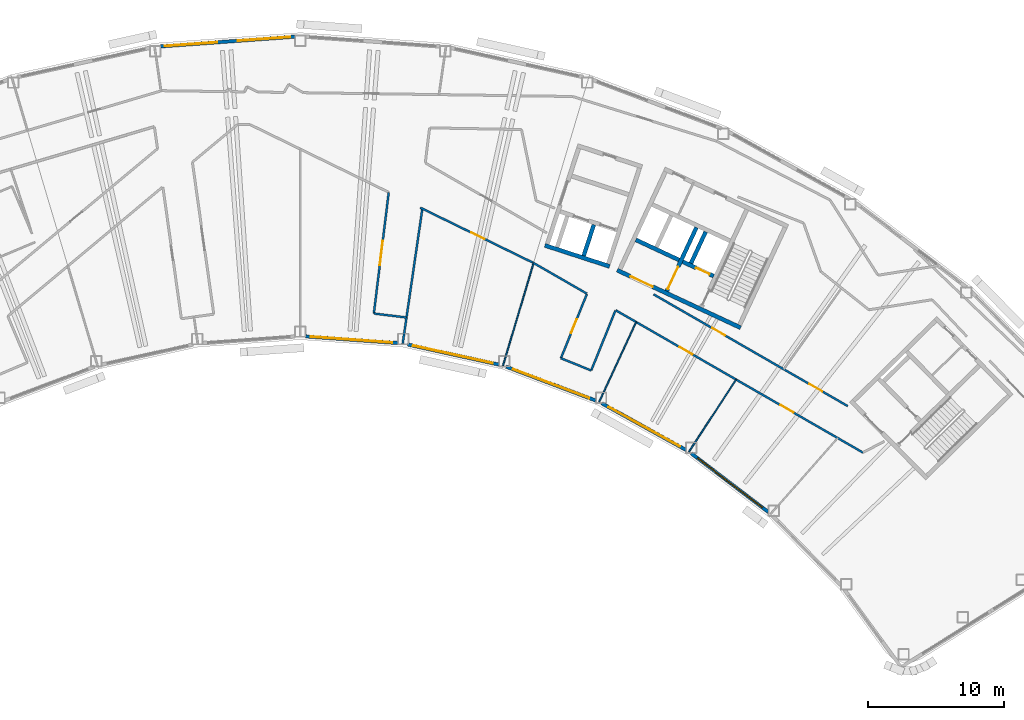
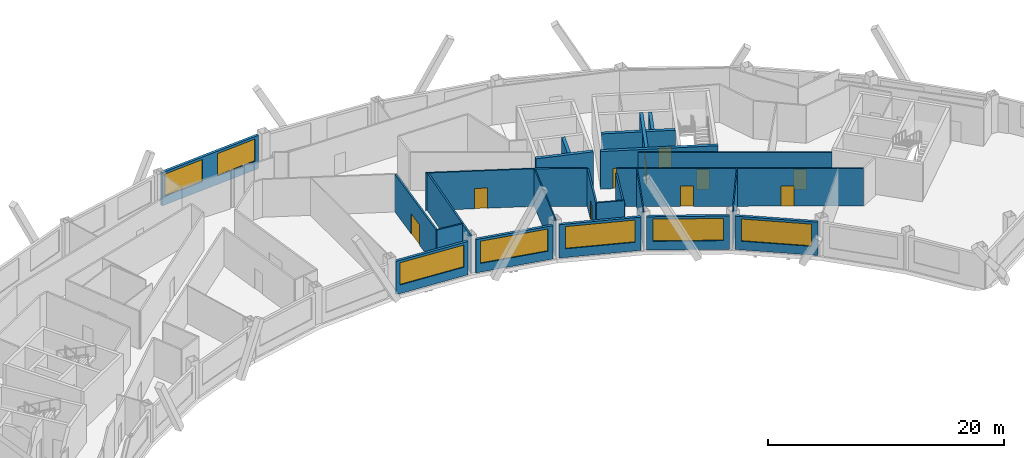
# One storey, part 8 of 13: 26 walls, 10 doors, 7 windows, 17 openings.
"""IFC4 building model written with IfcOpenShell, lengths in metres."""

from ifc_helpers import new_model, si_unit, direction, frame, frame_2d, origin, place, context, subcontext, project, spatial, rectangle, extrude, material, layer, layer_set, type_object, element, fill, save


model = new_model("IFC4")

# Units and contexts
model_context = context("Model", 3, precision=1e-05, world=origin(), true_north=direction((0.0, 1.0)))
body_context = subcontext(model_context, "Body", "Model", "MODEL_VIEW")
ifc_project = project(units=[si_unit("LENGTHUNIT", "METRE"), si_unit("AREAUNIT", "SQUARE_METRE"), si_unit("VOLUMEUNIT", "CUBIC_METRE"), si_unit("PLANEANGLEUNIT", "RADIAN"), si_unit("MASSUNIT", "GRAM", prefix="KILO")], contexts=[model_context])

# Site, building, storey
site_placement = place(None, origin())
site = spatial("IfcSite", under=ifc_project, at=site_placement, CompositionType="ELEMENT")
building_placement = place(site_placement, origin())
building = spatial("IfcBuilding", under=site, at=building_placement, Name="Tuul Gate Civic Tower", CompositionType="ELEMENT")
storey_placement = place(building_placement, frame((0.0, 0.0, 319.699951171875)))
storey = spatial("IfcBuildingStorey", under=building, at=storey_placement, Name="Level 72", CompositionType="ELEMENT", Elevation=319.699951171875)

# Wall, opening, door
ifc_material_1 = material(Name="Concrete C50/60", Category="concrete")
ifc_layer_1 = layer(ifc_material_1, 0.300048828125)
ifc_layer_set_1 = layer_set([ifc_layer_1], Name="Concrete C50/60")
wall_type_1 = type_object("IfcWallType", Name="Core wall C50/60", PredefinedType="SHEAR", material=ifc_layer_set_1)
wall_1_placement = place(storey_placement, frame((34.5283203125, -7.25, 0.0), z_axis=(0.0, 0.0, 1.0), x_axis=(-0.906310338845, 0.422612789327, 0.0)))
wall_1 = element("IfcWall", 1, at=wall_1_placement, inside=storey, type_object=wall_type_1, Name="Core wall", PredefinedType="SHEAR", context=body_context, shape_type="SweptSolid", body=[
    extrude(rectangle(XDim=9.999755859375, YDim=0.300048828125, at=frame_2d((5.0, 0.0))), origin(), (0.0, 0.0, 1.0), 3.900146484375),
])
opening_1_placement = place(wall_1_placement, frame((7.125, 0.0, 0.0)))
opening_1 = element("IfcOpeningElement", 2, at=opening_1_placement, cuts=wall_1, Name="Opening LB-E3-LOBBY-1", PredefinedType="OPENING", context=body_context, shape_type="SweptSolid", body=[
    extrude(rectangle(XDim=1.800048828125, YDim=2.10009765625, at=frame_2d((0.89990234375, 1.050048828125))), frame((0.0, 0.16015625, 0.0), z_axis=(0.0, -1.0, 0.0), x_axis=(1.0, 0.0, 0.0)), (0.0, 0.0, 1.0), 0.320068359375),
])
ifc_material_2 = material(Name="Steel", Category="steel")
door_type_1 = type_object("IfcDoorType", Name="Lobby door", OperationType="DOUBLE_DOOR_SINGLE_SWING", PredefinedType="DOOR", material=ifc_material_2)
door_1_placement = place(opening_1_placement, frame((1.800048828125, 0.0, 0.0), z_axis=(0.0, 0.0, 1.0), x_axis=(-1.0, 0.0, 0.0)))
door_1 = element("IfcDoor", 3, at=door_1_placement, inside=storey, type_object=door_type_1, Name="Lobby door E3-LOBBY", OperationType="DOUBLE_DOOR_SINGLE_SWING", OverallHeight=2.10009765625, OverallWidth=1.800048828125, PredefinedType="DOOR", context=body_context, shape_type="SweptSolid", body=[
    extrude(rectangle(XDim=1.800048828125, YDim=2.10009765625, at=frame_2d((0.900146484375, 1.050048828125))), frame((0.0, 0.02490234375, 0.0), z_axis=(0.0, -1.0, 0.0), x_axis=(1.0, 0.0, 0.0)), (0.0, 0.0, 1.0), 0.050048828125),
])
fill(opening_1, door_1)

wall_2_placement = place(storey_placement, frame((32.545654296875, -3.456787109375, 0.0), z_axis=(0.0, 0.0, 1.0), x_axis=(-0.906300357825, 0.42263419337, 0.0)))
wall_2 = element("IfcWall", 4, at=wall_2_placement, inside=storey, type_object=wall_type_1, Name="Core wall", PredefinedType="SHEAR", context=body_context, shape_type="SweptSolid", body=[
    extrude(rectangle(XDim=2.500244140625, YDim=0.300048828125, at=frame_2d((1.25, 0.0))), origin(), (0.0, 0.0, 1.0), 3.900146484375),
])
opening_2_placement = place(wall_2_placement, frame((0.324951171875, 0.0, 0.0)))
opening_2 = element("IfcOpeningElement", 5, at=opening_2_placement, cuts=wall_2, Name="Opening LD-FF-2", PredefinedType="OPENING", context=body_context, shape_type="SweptSolid", body=[
    extrude(rectangle(XDim=1.10009765625, YDim=2.10009765625, at=frame_2d((0.550048828125, 1.050048828125))), frame((0.0, 0.16015625, 0.0), z_axis=(0.0, -1.0, 0.0), x_axis=(1.0, 0.0, 0.0)), (0.0, 0.0, 1.0), 0.320068359375),
])
ifc_material_3 = material(Name="Stainless steel", Category="steel")
door_type_2 = type_object("IfcDoorType", Name="Landing door", OperationType="DOUBLE_DOOR_SLIDING", PredefinedType="DOOR", material=ifc_material_3)
door_2_placement = place(opening_2_placement, origin())
door_2 = element("IfcDoor", 6, at=door_2_placement, inside=storey, type_object=door_type_2, Name="Fire-fighting lift FF-2 landing door", OperationType="DOUBLE_DOOR_SLIDING", OverallHeight=2.10009765625, OverallWidth=1.10009765625, PredefinedType="DOOR", context=body_context, shape_type="SweptSolid", body=[
    extrude(rectangle(XDim=1.10009765625, YDim=2.10009765625, at=frame_2d((0.550048828125, 1.050048828125))), frame((0.0, 0.02490234375, 0.0), z_axis=(0.0, -1.0, 0.0), x_axis=(1.0, 0.0, 0.0)), (0.0, 0.0, 1.0), 0.050048828125),
])
fill(opening_2, door_2)

# Walls
wall_3_placement = place(storey_placement, frame((30.0078125, -2.2734375, 0.0), z_axis=(0.0, 0.0, 1.0), x_axis=(-0.90630071767, 0.422633421716, 0.0)))
element("IfcWall", 7, at=wall_3_placement, inside=storey, type_object=wall_type_1, Name="Core wall", PredefinedType="SHEAR", context=body_context, shape_type="SweptSolid", body=[
    extrude(rectangle(XDim=3.5, YDim=0.300048828125, at=frame_2d((1.75, 0.0))), origin(), (0.0, 0.0, 1.0), 3.900146484375),
])
wall_4_placement = place(storey_placement, frame((30.886962890625, -2.517822265625, 0.0), z_axis=(0.0, 0.0, 1.0), x_axis=(0.422612891016, 0.906310291427, 0.0)))
element("IfcWall", 8, at=wall_4_placement, inside=storey, type_object=wall_type_1, Name="Core wall", PredefinedType="SHEAR", context=body_context, shape_type="SweptSolid", body=[
    extrude(rectangle(XDim=2.550048828125, YDim=0.300048828125, at=frame_2d((1.27490234375, 0.0))), origin(), (0.0, 0.0, 1.0), 3.900146484375),
])

# Wall, opening, door
wall_5_placement = place(storey_placement, frame((29.108642578125, -4.557373046875, 0.0), z_axis=(0.0, 0.0, 1.0), x_axis=(0.422566235356, 0.90633204552, 0.0)))
wall_5 = element("IfcWall", 9, at=wall_5_placement, inside=storey, type_object=wall_type_1, Name="Core wall", PredefinedType="SHEAR", context=body_context, shape_type="SweptSolid", body=[
    extrude(rectangle(XDim=5.150146484375, YDim=0.300048828125, at=frame_2d((2.5751953125, 0.0))), origin(), (0.0, 0.0, 1.0), 3.900146484375),
])
opening_3_placement = place(wall_5_placement, frame((0.175048828125, 0.0, 0.0)))
opening_3 = element("IfcOpeningElement", 10, at=opening_3_placement, cuts=wall_5, Name="Opening LB-E3-FLOBBY-1", PredefinedType="OPENING", context=body_context, shape_type="SweptSolid", body=[
    extrude(rectangle(XDim=1.800048828125, YDim=2.10009765625, at=frame_2d((0.89990234375, 1.050048828125))), frame((0.0, 0.16015625, 0.0), z_axis=(0.0, -1.0, 0.0), x_axis=(1.0, 0.0, 0.0)), (0.0, 0.0, 1.0), 0.320068359375),
])
door_3_placement = place(opening_3_placement, frame((1.800048828125, 0.0, 0.0), z_axis=(0.0, 0.0, 1.0), x_axis=(-1.0, 0.0, 0.0)))
door_3 = element("IfcDoor", 11, at=door_3_placement, inside=storey, type_object=door_type_1, Name="Lobby door E3-FLOBBY", OperationType="DOUBLE_DOOR_SINGLE_SWING", OverallHeight=2.10009765625, OverallWidth=1.800048828125, PredefinedType="DOOR", context=body_context, shape_type="SweptSolid", body=[
    extrude(rectangle(XDim=1.800048828125, YDim=2.10009765625, at=frame_2d((0.900146484375, 1.050048828125))), frame((0.0, 0.02490234375, 0.0), z_axis=(0.0, -1.0, 0.0), x_axis=(1.0, 0.0, 0.0)), (0.0, 0.0, 1.0), 0.050048828125),
])
fill(opening_3, door_3)

# Wall
ifc_material_4 = material(Name="Gypsum board partition")
ifc_layer_2 = layer(ifc_material_4, 0.14990234375)
ifc_layer_set_2 = layer_set([ifc_layer_2], Name="Gypsum board partition")
wall_type_2 = type_object("IfcWallType", Name="Corridor wall P150", PredefinedType="PARTITIONING", material=ifc_layer_set_2)
wall_6_placement = place(storey_placement, frame((9.716064453125, -8.40380859375, 0.0), z_axis=(0.0, 0.0, 1.0), x_axis=(0.144210122219, 0.989547088647, 0.0)))
element("IfcWall", 12, at=wall_6_placement, inside=storey, type_object=wall_type_2, Name="p018", PredefinedType="PARTITIONING", context=body_context, shape_type="SweptSolid", body=[
    extrude(rectangle(XDim=10.035888671875, YDim=0.14990234375, at=frame_2d((5.01806640625, 0.0))), origin(), (0.0, 0.0, 1.0), 3.900146484375),
])

# Wall, openings, doors
wall_7_placement = place(storey_placement, frame((28.141845703125, -4.799072265625, 0.0), z_axis=(0.0, 0.0, 1.0), x_axis=(0.866677316587, -0.498869150092, 0.0)))
wall_7 = element("IfcWall", 13, at=wall_7_placement, inside=storey, type_object=wall_type_2, Name="p023", PredefinedType="PARTITIONING", context=body_context, shape_type="SweptSolid", body=[
    extrude(rectangle(XDim=16.44287109375, YDim=0.14990234375, at=frame_2d((8.221435546875, 0.0))), origin(), (0.0, 0.0, 1.0), 3.900146484375),
])
opening_4_placement = place(wall_7_placement, frame((13.1826171875, 0.0, 0.0)))
opening_4 = element("IfcOpeningElement", 14, at=opening_4_placement, cuts=wall_7, Name="Opening AA-D20", PredefinedType="OPENING", context=body_context, shape_type="SweptSolid", body=[
    extrude(rectangle(XDim=1.10009765625, YDim=2.10009765625, at=frame_2d((0.550048828125, 1.050048828125))), frame((0.0, 0.0849609375, 0.0), z_axis=(0.0, -1.0, 0.0), x_axis=(1.0, 0.0, 0.0)), (0.0, 0.0, 1.0), 0.169921875),
])
opening_5_placement = place(wall_7_placement, frame((4.961181640625, 0.0, 0.0)))
opening_5 = element("IfcOpeningElement", 15, at=opening_5_placement, cuts=wall_7, Name="Opening AA-D21", PredefinedType="OPENING", context=body_context, shape_type="SweptSolid", body=[
    extrude(rectangle(XDim=1.10009765625, YDim=2.10009765625, at=frame_2d((0.550048828125, 1.050048828125))), frame((0.0, 0.0849609375, 0.0), z_axis=(0.0, -1.0, 0.0), x_axis=(1.0, 0.0, 0.0)), (0.0, 0.0, 1.0), 0.169921875),
])
ifc_material_5 = material(Name="Timber door leaf", Category="wood")
door_type_3 = type_object("IfcDoorType", Name="Door D11", OperationType="NOTDEFINED", PredefinedType="DOOR", material=ifc_material_5)
door_4_placement = place(opening_4_placement, origin())
door_4 = element("IfcDoor", 16, at=door_4_placement, inside=storey, type_object=door_type_3, Name="Door AA-D20", OperationType="SINGLE_SWING_RIGHT", OverallHeight=2.10009765625, OverallWidth=1.10009765625, PredefinedType="DOOR", context=body_context, shape_type="SweptSolid", body=[
    extrude(rectangle(XDim=1.10009765625, YDim=2.10009765625, at=frame_2d((0.550048828125, 1.050048828125))), frame((0.0, 0.02490234375, 0.0), z_axis=(0.0, -1.0, 0.0), x_axis=(1.0, 0.0, 0.0)), (0.0, 0.0, 1.0), 0.050048828125),
])
fill(opening_4, door_4)
door_5_placement = place(opening_5_placement, frame((1.10009765625, 0.0, 0.0), z_axis=(0.0, 0.0, 1.0), x_axis=(-1.0, 0.0, 0.0)))
door_5 = element("IfcDoor", 17, at=door_5_placement, inside=storey, type_object=door_type_3, Name="Door AA-D21", OperationType="SINGLE_SWING_LEFT", OverallHeight=2.10009765625, OverallWidth=1.10009765625, PredefinedType="DOOR", context=body_context, shape_type="SweptSolid", body=[
    extrude(rectangle(XDim=1.10009765625, YDim=2.10009765625, at=frame_2d((0.550048828125, 1.050048828125))), frame((0.0, 0.02490234375, 0.0), z_axis=(0.0, -1.0, 0.0), x_axis=(1.0, 0.0, 0.0)), (0.0, 0.0, 1.0), 0.050048828125),
])
fill(opening_5, door_5)

# Wall
wall_8_placement = place(storey_placement, frame((19.31689453125, -2.488525390625, 0.0), z_axis=(0.0, 0.0, 1.0), x_axis=(0.866682635441, -0.49885990962, 0.0)))
element("IfcWall", 18, at=wall_8_placement, inside=storey, type_object=wall_type_2, Name="p058", PredefinedType="PARTITIONING", context=body_context, shape_type="SweptSolid", body=[
    extrude(rectangle(XDim=4.51806640625, YDim=0.14990234375, at=frame_2d((2.259033203125, 0.0))), origin(), (0.0, 0.0, 1.0), 3.900146484375),
])

# Wall, openings, doors
wall_9_placement = place(storey_placement, frame((25.36865234375, -5.971923828125, 0.0), z_axis=(0.0, 0.0, 1.0), x_axis=(0.866671355213, -0.498879506548, 0.0)))
wall_9 = element("IfcWall", 19, at=wall_9_placement, inside=storey, type_object=wall_type_2, Name="p059", PredefinedType="PARTITIONING", context=body_context, shape_type="SweptSolid", body=[
    extrude(rectangle(XDim=20.93359375, YDim=0.14990234375, at=frame_2d((10.466796875, 0.0))), origin(), (0.0, 0.0, 1.0), 3.900146484375),
])
opening_6_placement = place(wall_9_placement, frame((13.94189453125, 0.0, 0.0)))
opening_6 = element("IfcOpeningElement", 20, at=opening_6_placement, cuts=wall_9, Name="Opening AA-D10", PredefinedType="OPENING", context=body_context, shape_type="SweptSolid", body=[
    extrude(rectangle(XDim=1.10009765625, YDim=2.10009765625, at=frame_2d((0.550048828125, 1.050048828125))), frame((0.0, 0.0849609375, 0.0), z_axis=(0.0, -1.0, 0.0), x_axis=(1.0, 0.0, 0.0)), (0.0, 0.0, 1.0), 0.169921875),
])
opening_7_placement = place(wall_9_placement, frame((5.402587890625, 0.0, 0.0)))
opening_7 = element("IfcOpeningElement", 21, at=opening_7_placement, cuts=wall_9, Name="Opening AA-D11", PredefinedType="OPENING", context=body_context, shape_type="SweptSolid", body=[
    extrude(rectangle(XDim=1.10009765625, YDim=2.10009765625, at=frame_2d((0.550048828125, 1.050048828125))), frame((0.0, 0.0849609375, 0.0), z_axis=(0.0, -1.0, 0.0), x_axis=(1.0, 0.0, 0.0)), (0.0, 0.0, 1.0), 0.169921875),
])
door_6_placement = place(opening_6_placement, frame((1.10009765625, 0.0, 0.0), z_axis=(0.0, 0.0, 1.0), x_axis=(-1.0, 0.0, 0.0)))
door_6 = element("IfcDoor", 22, at=door_6_placement, inside=storey, type_object=door_type_3, Name="Door AA-D10", OperationType="SINGLE_SWING_LEFT", OverallHeight=2.10009765625, OverallWidth=1.10009765625, PredefinedType="DOOR", context=body_context, shape_type="SweptSolid", body=[
    extrude(rectangle(XDim=1.10009765625, YDim=2.10009765625, at=frame_2d((0.550048828125, 1.050048828125))), frame((0.0, 0.02490234375, 0.0), z_axis=(0.0, -1.0, 0.0), x_axis=(1.0, 0.0, 0.0)), (0.0, 0.0, 1.0), 0.050048828125),
])
fill(opening_6, door_6)
door_7_placement = place(opening_7_placement, frame((1.10009765625, 0.0, 0.0), z_axis=(0.0, 0.0, 1.0), x_axis=(-1.0, 0.0, 0.0)))
door_7 = element("IfcDoor", 23, at=door_7_placement, inside=storey, type_object=door_type_3, Name="Door AA-D11", OperationType="SINGLE_SWING_LEFT", OverallHeight=2.10009765625, OverallWidth=1.10009765625, PredefinedType="DOOR", context=body_context, shape_type="SweptSolid", body=[
    extrude(rectangle(XDim=1.10009765625, YDim=2.10009765625, at=frame_2d((0.550048828125, 1.050048828125))), frame((0.0, 0.02490234375, 0.0), z_axis=(0.0, -1.0, 0.0), x_axis=(1.0, 0.0, 0.0)), (0.0, 0.0, 1.0), 0.050048828125),
])
fill(opening_7, door_7)

# Wall, opening, door
wall_10_placement = place(storey_placement, frame((21.334228515625, -9.488525390625, 0.0), z_axis=(0.0, 0.0, 1.0), x_axis=(0.374612897555, 0.927181307504, 0.0)))
wall_10 = element("IfcWall", 24, at=wall_10_placement, inside=storey, type_object=wall_type_2, Name="p066", PredefinedType="PARTITIONING", context=body_context, shape_type="SweptSolid", body=[
    extrude(rectangle(XDim=5.09130859375, YDim=0.14990234375, at=frame_2d((2.545654296875, 0.0))), origin(), (0.0, 0.0, 1.0), 3.900146484375),
])
opening_8_placement = place(wall_10_placement, frame((1.99560546875, 0.0, 0.0)))
opening_8 = element("IfcOpeningElement", 25, at=opening_8_placement, cuts=wall_10, Name="Opening AA-D12", PredefinedType="OPENING", context=body_context, shape_type="SweptSolid", body=[
    extrude(rectangle(XDim=1.10009765625, YDim=2.10009765625, at=frame_2d((0.550048828125, 1.050048828125))), frame((0.0, 0.0849609375, 0.0), z_axis=(0.0, -1.0, 0.0), x_axis=(1.0, 0.0, 0.0)), (0.0, 0.0, 1.0), 0.169921875),
])
door_8_placement = place(opening_8_placement, origin())
door_8 = element("IfcDoor", 26, at=door_8_placement, inside=storey, type_object=door_type_3, Name="Door AA-D12", OperationType="SINGLE_SWING_RIGHT", OverallHeight=2.10009765625, OverallWidth=1.10009765625, PredefinedType="DOOR", context=body_context, shape_type="SweptSolid", body=[
    extrude(rectangle(XDim=1.10009765625, YDim=2.10009765625, at=frame_2d((0.550048828125, 1.050048828125))), frame((0.0, 0.02490234375, 0.0), z_axis=(0.0, -1.0, 0.0), x_axis=(1.0, 0.0, 0.0)), (0.0, 0.0, 1.0), 0.050048828125),
])
fill(opening_8, door_8)

# Wall
wall_11_placement = place(storey_placement, frame((21.334716796875, -9.489501953125, 0.0), z_axis=(0.0, 0.0, 1.0), x_axis=(0.927158217731, -0.374670040561, 0.0)))
element("IfcWall", 27, at=wall_11_placement, inside=storey, type_object=wall_type_2, Name="p067", PredefinedType="PARTITIONING", context=body_context, shape_type="SweptSolid", body=[
    extrude(rectangle(XDim=2.398681640625, YDim=0.14990234375, at=frame_2d((1.19921875, 0.0))), origin(), (0.0, 0.0, 1.0), 3.900146484375),
])

# Wall, opening, door
wall_12_placement = place(storey_placement, frame((10.996826171875, 1.571533203125, 0.0), z_axis=(0.0, 0.0, 1.0), x_axis=(0.898711146647, -0.438541075491, 0.0)))
wall_12 = element("IfcWall", 28, at=wall_12_placement, inside=storey, type_object=wall_type_2, Name="p070", PredefinedType="PARTITIONING", context=body_context, shape_type="SweptSolid", body=[
    extrude(rectangle(XDim=9.255859375, YDim=0.14990234375, at=frame_2d((4.6279296875, 0.0))), origin(), (0.0, 0.0, 1.0), 3.900146484375),
])
opening_9_placement = place(wall_12_placement, frame((4.167236328125, 0.0, 0.0)))
opening_9 = element("IfcOpeningElement", 29, at=opening_9_placement, cuts=wall_12, Name="Opening AA-D13", PredefinedType="OPENING", context=body_context, shape_type="SweptSolid", body=[
    extrude(rectangle(XDim=1.10009765625, YDim=2.10009765625, at=frame_2d((0.550048828125, 1.050048828125))), frame((0.0, 0.0849609375, 0.0), z_axis=(0.0, -1.0, 0.0), x_axis=(1.0, 0.0, 0.0)), (0.0, 0.0, 1.0), 0.169921875),
])
door_9_placement = place(opening_9_placement, frame((1.10009765625, 0.0, 0.0), z_axis=(0.0, 0.0, 1.0), x_axis=(-1.0, 0.0, 0.0)))
door_9 = element("IfcDoor", 30, at=door_9_placement, inside=storey, type_object=door_type_3, Name="Door AA-D13", OperationType="SINGLE_SWING_LEFT", OverallHeight=2.10009765625, OverallWidth=1.10009765625, PredefinedType="DOOR", context=body_context, shape_type="SweptSolid", body=[
    extrude(rectangle(XDim=1.10009765625, YDim=2.10009765625, at=frame_2d((0.550048828125, 1.050048828125))), frame((0.0, 0.02490234375, 0.0), z_axis=(0.0, -1.0, 0.0), x_axis=(1.0, 0.0, 0.0)), (0.0, 0.0, 1.0), 0.050048828125),
])
fill(opening_9, door_9)

wall_13_placement = place(storey_placement, frame((7.596923828125, -6.20458984375, 0.0), z_axis=(0.0, 0.0, 1.0), x_axis=(0.121853130257, 0.992548142231, 0.0)))
wall_13 = element("IfcWall", 31, at=wall_13_placement, inside=storey, type_object=wall_type_2, Name="p072", PredefinedType="PARTITIONING", context=body_context, shape_type="SweptSolid", body=[
    extrude(rectangle(XDim=8.953857421875, YDim=0.14990234375, at=frame_2d((4.47705078125, 0.0))), origin(), (0.0, 0.0, 1.0), 3.900146484375),
])
opening_10_placement = place(wall_13_placement, frame((3.576904296875, 0.0, 0.0)))
opening_10 = element("IfcOpeningElement", 32, at=opening_10_placement, cuts=wall_13, Name="Opening AA-D14", PredefinedType="OPENING", context=body_context, shape_type="SweptSolid", body=[
    extrude(rectangle(XDim=1.800048828125, YDim=2.10009765625, at=frame_2d((0.89990234375, 1.050048828125))), frame((0.0, 0.0849609375, 0.0), z_axis=(0.0, -1.0, 0.0), x_axis=(1.0, 0.0, 0.0)), (0.0, 0.0, 1.0), 0.169921875),
])
ifc_material_6 = material(Name="Timber door leaf, double", Category="wood")
door_type_4 = type_object("IfcDoorType", Name="Door D18", OperationType="DOUBLE_DOOR_SINGLE_SWING", PredefinedType="DOOR", material=ifc_material_6)
door_10_placement = place(opening_10_placement, origin())
door_10 = element("IfcDoor", 33, at=door_10_placement, inside=storey, type_object=door_type_4, Name="Door AA-D14", OperationType="DOUBLE_DOOR_SINGLE_SWING", OverallHeight=2.10009765625, OverallWidth=1.800048828125, PredefinedType="DOOR", context=body_context, shape_type="SweptSolid", body=[
    extrude(rectangle(XDim=1.800048828125, YDim=2.10009765625, at=frame_2d((0.89990234375, 1.050048828125))), frame((0.0, 0.02490234375, 0.0), z_axis=(0.0, -1.0, 0.0), x_axis=(1.0, 0.0, 0.0)), (0.0, 0.0, 1.0), 0.050048828125),
])
fill(opening_10, door_10)

# Walls
wall_14_placement = place(storey_placement, frame((7.59765625, -6.205322265625, 0.0), z_axis=(0.0, 0.0, 1.0), x_axis=(0.992537188649, -0.121942318942, 0.0)))
element("IfcWall", 34, at=wall_14_placement, inside=storey, type_object=wall_type_2, Name="p073", PredefinedType="PARTITIONING", context=body_context, shape_type="SweptSolid", body=[
    extrude(rectangle(XDim=2.3984375, YDim=0.14990234375, at=frame_2d((1.19921875, 0.0))), origin(), (0.0, 0.0, 1.0), 3.900146484375),
])
ifc_material_7 = material(Name="Gypsum board partition")
ifc_layer_3 = layer(ifc_material_7, 0.14990234375)
ifc_layer_set_3 = layer_set([ifc_layer_3], Name="Gypsum board partition")
wall_type_3 = type_object("IfcWallType", Name="Corridor wall P150 3400 HIGH", PredefinedType="PARTITIONING", material=ifc_layer_set_3)
wall_15_placement = place(storey_placement, frame((23.5595703125, -10.3876953125, 0.0), z_axis=(0.0, 0.0, 1.0), x_axis=(0.374604063796, 0.927184876596, 0.0)))
element("IfcWall", 35, at=wall_15_placement, inside=storey, type_object=wall_type_3, Name="p068", PredefinedType="PARTITIONING", context=body_context, shape_type="SweptSolid", body=[
    extrude(rectangle(XDim=4.751708984375, YDim=0.14990234375, at=frame_2d((2.3759765625, 0.0))), origin(), (0.0, 0.0, 1.0), 3.400146484375),
])

# Wall, openings, windows
ifc_material_8 = material(Name="Precast concrete C40/50", Category="concrete")
ifc_layer_4 = layer(ifc_material_8, 0.25)
ifc_layer_set_4 = layer_set([ifc_layer_4], Name="Precast concrete C40/50")
wall_type_4 = type_object("IfcWallType", Name="External wall", PredefinedType="STANDARD", material=ifc_layer_set_4)
wall_16_placement = place(storey_placement, frame((1.7919921875, 14.124755859375, 0.0), z_axis=(0.0, 0.0, 1.0), x_axis=(-0.997387042659, -0.072243249762, 0.0)))
wall_16 = element("IfcWall", 36, at=wall_16_placement, inside=storey, type_object=wall_type_4, Name="External wall", PredefinedType="STANDARD", context=body_context, shape_type="SweptSolid", body=[
    extrude(rectangle(XDim=9.874755859375, YDim=0.25, at=frame_2d((4.9375, 0.0))), origin(), (0.0, 0.0, 1.0), 3.449951171875),
])
opening_11_placement = place(wall_16_placement, frame((0.350341796875, 0.0, 0.89990234375)))
opening_11 = element("IfcOpeningElement", 37, at=opening_11_placement, cuts=wall_16, Name="Opening W22", PredefinedType="OPENING", context=body_context, shape_type="SweptSolid", body=[
    extrude(rectangle(XDim=3.85009765625, YDim=2.300048828125, at=frame_2d((1.925048828125, 1.14990234375))), frame((0.0, 0.135009765625, 0.0), z_axis=(0.0, -1.0, 0.0), x_axis=(1.0, 0.0, 0.0)), (0.0, 0.0, 1.0), 0.27001953125),
])
opening_12_placement = place(wall_16_placement, frame((5.721435546875, 0.0, 0.89990234375)))
opening_12 = element("IfcOpeningElement", 38, at=opening_12_placement, cuts=wall_16, Name="Opening W22", PredefinedType="OPENING", context=body_context, shape_type="SweptSolid", body=[
    extrude(rectangle(XDim=3.85009765625, YDim=2.300048828125, at=frame_2d((1.925048828125, 1.14990234375))), frame((0.0, 0.135009765625, 0.0), z_axis=(0.0, -1.0, 0.0), x_axis=(1.0, 0.0, 0.0)), (0.0, 0.0, 1.0), 0.27001953125),
])
ifc_material_9 = material(Name="Glass", Category="glass")
window_type_1 = type_object("IfcWindowType", Name="Window W22 3850 x 2300", PartitioningType="SINGLE_PANEL", PredefinedType="WINDOW", material=ifc_material_9)
window_1_placement = place(opening_11_placement, origin())
window_1 = element("IfcWindow", 39, at=window_1_placement, inside=storey, type_object=window_type_1, Name="Window", OverallHeight=2.300048828125, OverallWidth=3.85009765625, PartitioningType="SINGLE_PANEL", PredefinedType="WINDOW", context=body_context, shape_type="SweptSolid", body=[
    extrude(rectangle(XDim=3.85009765625, YDim=2.300048828125, at=frame_2d((1.925048828125, 1.14990234375))), frame((0.0, 0.030029296875, 0.0), z_axis=(0.0, -1.0, 0.0), x_axis=(1.0, 0.0, 0.0)), (0.0, 0.0, 1.0), 0.06005859375),
])
fill(opening_11, window_1)
window_2_placement = place(opening_12_placement, origin())
window_2 = element("IfcWindow", 40, at=window_2_placement, inside=storey, type_object=window_type_1, Name="Window", OverallHeight=2.300048828125, OverallWidth=3.85009765625, PartitioningType="SINGLE_PANEL", PredefinedType="WINDOW", context=body_context, shape_type="SweptSolid", body=[
    extrude(rectangle(XDim=3.85009765625, YDim=2.300048828125, at=frame_2d((1.925048828125, 1.14990234375))), frame((0.0, 0.030029296875, 0.0), z_axis=(0.0, -1.0, 0.0), x_axis=(1.0, 0.0, 0.0)), (0.0, 0.0, 1.0), 0.06005859375),
])
fill(opening_12, window_2)

# Wall, opening, window
wall_17_placement = place(storey_placement, frame((2.592041015625, -7.882568359375, 0.0), z_axis=(0.0, 0.0, 1.0), x_axis=(0.997384795983, -0.072274260578, 0.0)))
wall_17 = element("IfcWall", 41, at=wall_17_placement, inside=storey, type_object=wall_type_4, Name="External wall", PredefinedType="STANDARD", context=body_context, shape_type="SweptSolid", body=[
    extrude(rectangle(XDim=6.789794921875, YDim=0.25, at=frame_2d((3.39501953125, 0.0))), origin(), (0.0, 0.0, 1.0), 3.449951171875),
])
opening_13_placement = place(wall_17_placement, frame((0.371337890625, 0.0, 0.89990234375)))
opening_13 = element("IfcOpeningElement", 42, at=opening_13_placement, cuts=wall_17, Name="Opening W26", PredefinedType="OPENING", context=body_context, shape_type="SweptSolid", body=[
    extrude(rectangle(XDim=6.0, YDim=2.300048828125, at=frame_2d((3.0, 1.14990234375))), frame((0.0, 0.135009765625, 0.0), z_axis=(0.0, -1.0, 0.0), x_axis=(1.0, 0.0, 0.0)), (0.0, 0.0, 1.0), 0.27001953125),
])
ifc_material_10 = material(Name="Glass", Category="glass")
window_type_2 = type_object("IfcWindowType", Name="Window W26 6000 x 2300", PartitioningType="SINGLE_PANEL", PredefinedType="WINDOW", material=ifc_material_10)
window_3_placement = place(opening_13_placement, origin())
window_3 = element("IfcWindow", 43, at=window_3_placement, inside=storey, type_object=window_type_2, Name="Window", OverallHeight=2.300048828125, OverallWidth=6.0, PartitioningType="SINGLE_PANEL", PredefinedType="WINDOW", context=body_context, shape_type="SweptSolid", body=[
    extrude(rectangle(XDim=6.0, YDim=2.300048828125, at=frame_2d((3.0, 1.14990234375))), frame((0.0, 0.030029296875, 0.0), z_axis=(0.0, -1.0, 0.0), x_axis=(1.0, 0.0, 0.0)), (0.0, 0.0, 1.0), 0.06005859375),
])
fill(opening_13, window_3)

wall_18_placement = place(storey_placement, frame((10.071044921875, -8.47705078125, 0.0), z_axis=(0.0, 0.0, 1.0), x_axis=(0.976561146318, -0.215240162382, 0.0)))
wall_18 = element("IfcWall", 44, at=wall_18_placement, inside=storey, type_object=wall_type_4, Name="External wall", PredefinedType="STANDARD", context=body_context, shape_type="SweptSolid", body=[
    extrude(rectangle(XDim=6.867919921875, YDim=0.25, at=frame_2d((3.43408203125, 0.0))), origin(), (0.0, 0.0, 1.0), 3.449951171875),
])
opening_14_placement = place(wall_18_placement, frame((0.409912109375, 0.0, 0.89990234375)))
opening_14 = element("IfcOpeningElement", 45, at=opening_14_placement, cuts=wall_18, Name="Opening W26", PredefinedType="OPENING", context=body_context, shape_type="SweptSolid", body=[
    extrude(rectangle(XDim=6.0, YDim=2.300048828125, at=frame_2d((3.0, 1.14990234375))), frame((0.0, 0.135009765625, 0.0), z_axis=(0.0, -1.0, 0.0), x_axis=(1.0, 0.0, 0.0)), (0.0, 0.0, 1.0), 0.27001953125),
])
window_4_placement = place(opening_14_placement, origin())
window_4 = element("IfcWindow", 46, at=window_4_placement, inside=storey, type_object=window_type_2, Name="Window", OverallHeight=2.300048828125, OverallWidth=6.0, PartitioningType="SINGLE_PANEL", PredefinedType="WINDOW", context=body_context, shape_type="SweptSolid", body=[
    extrude(rectangle(XDim=6.0, YDim=2.300048828125, at=frame_2d((3.0, 1.14990234375))), frame((0.0, 0.030029296875, 0.0), z_axis=(0.0, -1.0, 0.0), x_axis=(1.0, 0.0, 0.0)), (0.0, 0.0, 1.0), 0.06005859375),
])
fill(opening_14, window_4)

wall_19_placement = place(storey_placement, frame((17.315185546875, -10.110107421875, 0.0), z_axis=(0.0, 0.0, 1.0), x_axis=(0.93536342071, -0.353688098751, 0.0)))
wall_19 = element("IfcWall", 47, at=wall_19_placement, inside=storey, type_object=wall_type_4, Name="External wall", PredefinedType="STANDARD", context=body_context, shape_type="SweptSolid", body=[
    extrude(rectangle(XDim=7.017333984375, YDim=0.25, at=frame_2d((3.5087890625, 0.0))), origin(), (0.0, 0.0, 1.0), 3.449951171875),
])
opening_15_placement = place(wall_19_placement, frame((0.52587890625, 0.0, 0.89990234375)))
opening_15 = element("IfcOpeningElement", 48, at=opening_15_placement, cuts=wall_19, Name="Opening W26", PredefinedType="OPENING", context=body_context, shape_type="SweptSolid", body=[
    extrude(rectangle(XDim=6.0, YDim=2.300048828125, at=frame_2d((3.0, 1.14990234375))), frame((0.0, 0.135009765625, 0.0), z_axis=(0.0, -1.0, 0.0), x_axis=(1.0, 0.0, 0.0)), (0.0, 0.0, 1.0), 0.27001953125),
])
window_5_placement = place(opening_15_placement, origin())
window_5 = element("IfcWindow", 49, at=window_5_placement, inside=storey, type_object=window_type_2, Name="Window", OverallHeight=2.300048828125, OverallWidth=6.0, PartitioningType="SINGLE_PANEL", PredefinedType="WINDOW", context=body_context, shape_type="SweptSolid", body=[
    extrude(rectangle(XDim=6.0, YDim=2.300048828125, at=frame_2d((3.0, 1.14990234375))), frame((0.0, 0.030029296875, 0.0), z_axis=(0.0, -1.0, 0.0), x_axis=(1.0, 0.0, 0.0)), (0.0, 0.0, 1.0), 0.06005859375),
])
fill(opening_15, window_5)

wall_20_placement = place(storey_placement, frame((24.33056640625, -12.7958984375, 0.0), z_axis=(0.0, 0.0, 1.0), x_axis=(0.874614232828, -0.484819496034, 0.0)))
wall_20 = element("IfcWall", 50, at=wall_20_placement, inside=storey, type_object=wall_type_4, Name="External wall", PredefinedType="STANDARD", context=body_context, shape_type="SweptSolid", body=[
    extrude(rectangle(XDim=7.07568359375, YDim=0.25, at=frame_2d((3.537841796875, 0.0))), origin(), (0.0, 0.0, 1.0), 3.449951171875),
])
opening_16_placement = place(wall_20_placement, frame((0.556396484375, 0.0, 0.89990234375)))
opening_16 = element("IfcOpeningElement", 51, at=opening_16_placement, cuts=wall_20, Name="Opening W26", PredefinedType="OPENING", context=body_context, shape_type="SweptSolid", body=[
    extrude(rectangle(XDim=6.0, YDim=2.300048828125, at=frame_2d((3.0, 1.14990234375))), frame((0.0, 0.135009765625, 0.0), z_axis=(0.0, -1.0, 0.0), x_axis=(1.0, 0.0, 0.0)), (0.0, 0.0, 1.0), 0.27001953125),
])
window_6_placement = place(opening_16_placement, origin())
window_6 = element("IfcWindow", 52, at=window_6_placement, inside=storey, type_object=window_type_2, Name="Window", OverallHeight=2.300048828125, OverallWidth=6.0, PartitioningType="SINGLE_PANEL", PredefinedType="WINDOW", context=body_context, shape_type="SweptSolid", body=[
    extrude(rectangle(XDim=6.0, YDim=2.300048828125, at=frame_2d((3.0, 1.14990234375))), frame((0.0, 0.030029296875, 0.0), z_axis=(0.0, -1.0, 0.0), x_axis=(1.0, 0.0, 0.0)), (0.0, 0.0, 1.0), 0.06005859375),
])
fill(opening_16, window_6)

wall_21_placement = place(storey_placement, frame((30.9072265625, -16.47607421875, 0.0), z_axis=(0.0, 0.0, 1.0), x_axis=(0.795582375141, -0.605845429433, 0.0)))
wall_21 = element("IfcWall", 53, at=wall_21_placement, inside=storey, type_object=wall_type_4, Name="External wall", PredefinedType="STANDARD", context=body_context, shape_type="SweptSolid", body=[
    extrude(rectangle(XDim=7.10400390625, YDim=0.25, at=frame_2d((3.552001953125, 0.0))), origin(), (0.0, 0.0, 1.0), 3.449951171875),
])
opening_17_placement = place(wall_21_placement, frame((0.562744140625, 0.0, 0.89990234375)))
opening_17 = element("IfcOpeningElement", 54, at=opening_17_placement, cuts=wall_21, Name="Opening W26", PredefinedType="OPENING", context=body_context, shape_type="SweptSolid", body=[
    extrude(rectangle(XDim=6.0, YDim=2.300048828125, at=frame_2d((3.0, 1.14990234375))), frame((0.0, 0.135009765625, 0.0), z_axis=(0.0, -1.0, 0.0), x_axis=(1.0, 0.0, 0.0)), (0.0, 0.0, 1.0), 0.27001953125),
])
window_7_placement = place(opening_17_placement, origin())
window_7 = element("IfcWindow", 55, at=window_7_placement, inside=storey, type_object=window_type_2, Name="Window", OverallHeight=2.300048828125, OverallWidth=6.0, PartitioningType="SINGLE_PANEL", PredefinedType="WINDOW", context=body_context, shape_type="SweptSolid", body=[
    extrude(rectangle(XDim=6.0, YDim=2.300048828125, at=frame_2d((3.0, 1.14990234375))), frame((0.0, 0.030029296875, 0.0), z_axis=(0.0, -1.0, 0.0), x_axis=(1.0, 0.0, 0.0)), (0.0, 0.0, 1.0), 0.06005859375),
])
fill(opening_17, window_7)

# Walls
ifc_material_11 = material(Name="Concrete C40/50", Category="concrete")
ifc_layer_5 = layer(ifc_material_11, 0.300048828125)
ifc_layer_set_5 = layer_set([ifc_layer_5], Name="Concrete C40/50")
wall_type_5 = type_object("IfcWallType", Name="Lift shaft wall C40/50", PredefinedType="STANDARD", material=ifc_layer_set_5)
wall_22_placement = place(storey_placement, frame((24.911376953125, -2.746337890625, 0.0), z_axis=(0.0, 0.0, 1.0), x_axis=(-0.951067792613, 0.308982287281, 0.0)))
element("IfcWall", 56, at=wall_22_placement, inside=storey, type_object=wall_type_5, Name="Shaft wall", PredefinedType="STANDARD", context=body_context, shape_type="SweptSolid", body=[
    extrude(rectangle(XDim=5.0, YDim=0.300048828125, at=frame_2d((2.5, 0.0))), origin(), (0.0, 0.0, 1.0), 3.900146484375),
])
wall_23_placement = place(storey_placement, frame((23.008056640625, -1.97021484375, 0.0), z_axis=(0.0, 0.0, 1.0), x_axis=(0.309138975195, 0.951016873675, 0.0)))
element("IfcWall", 57, at=wall_23_placement, inside=storey, type_object=wall_type_5, Name="Shaft wall", PredefinedType="STANDARD", context=body_context, shape_type="SweptSolid", body=[
    extrude(rectangle(XDim=2.400146484375, YDim=0.300048828125, at=frame_2d((1.2001953125, 0.0))), origin(), (0.0, 0.0, 1.0), 3.900146484375),
])
ifc_material_12 = material(Name="Gypsum board partition")
ifc_layer_6 = layer(ifc_material_12, 0.10009765625)
ifc_layer_set_6 = layer_set([ifc_layer_6], Name="Gypsum board partition")
wall_type_6 = type_object("IfcWallType", Name="Partition P100", PredefinedType="PARTITIONING", material=ifc_layer_set_6)
wall_24_placement = place(storey_placement, frame((30.73779296875, -16.353271484375, 0.0), z_axis=(0.0, 0.0, 1.0), x_axis=(0.546716047098, 0.83731807806, 0.0)))
element("IfcWall", 58, at=wall_24_placement, inside=storey, type_object=wall_type_6, Name="p063", PredefinedType="PARTITIONING", context=body_context, shape_type="SweptSolid", body=[
    extrude(rectangle(XDim=6.32861328125, YDim=0.10009765625, at=frame_2d((3.164306640625, 0.0))), origin(), (0.0, 0.0, 1.0), 3.900146484375),
])
wall_25_placement = place(storey_placement, frame((24.1396484375, -12.69580078125, 0.0), z_axis=(0.0, 0.0, 1.0), x_axis=(0.420372308272, 0.907351708235, 0.0)))
element("IfcWall", 59, at=wall_25_placement, inside=storey, type_object=wall_type_6, Name="p064", PredefinedType="PARTITIONING", context=body_context, shape_type="SweptSolid", body=[
    extrude(rectangle(XDim=6.4658203125, YDim=0.10009765625, at=frame_2d((3.23291015625, 0.0))), origin(), (0.0, 0.0, 1.0), 3.900146484375),
])
wall_26_placement = place(storey_placement, frame((17.083251953125, -10.027587890625, 0.0), z_axis=(0.0, 0.0, 1.0), x_axis=(0.285210118255, 0.958465016808, 0.0)))
element("IfcWall", 60, at=wall_26_placement, inside=storey, type_object=wall_type_6, Name="p065", PredefinedType="PARTITIONING", context=body_context, shape_type="SweptSolid", body=[
    extrude(rectangle(XDim=7.860595703125, YDim=0.10009765625, at=frame_2d((3.93017578125, 0.0))), origin(), (0.0, 0.0, 1.0), 3.900146484375),
])

save(model, "model.ifc")
